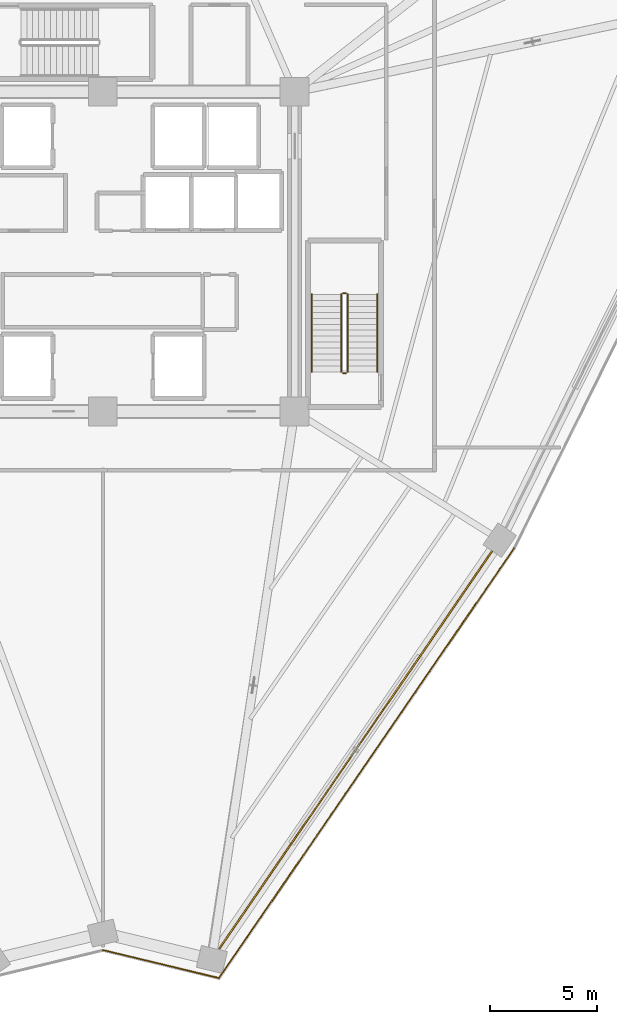
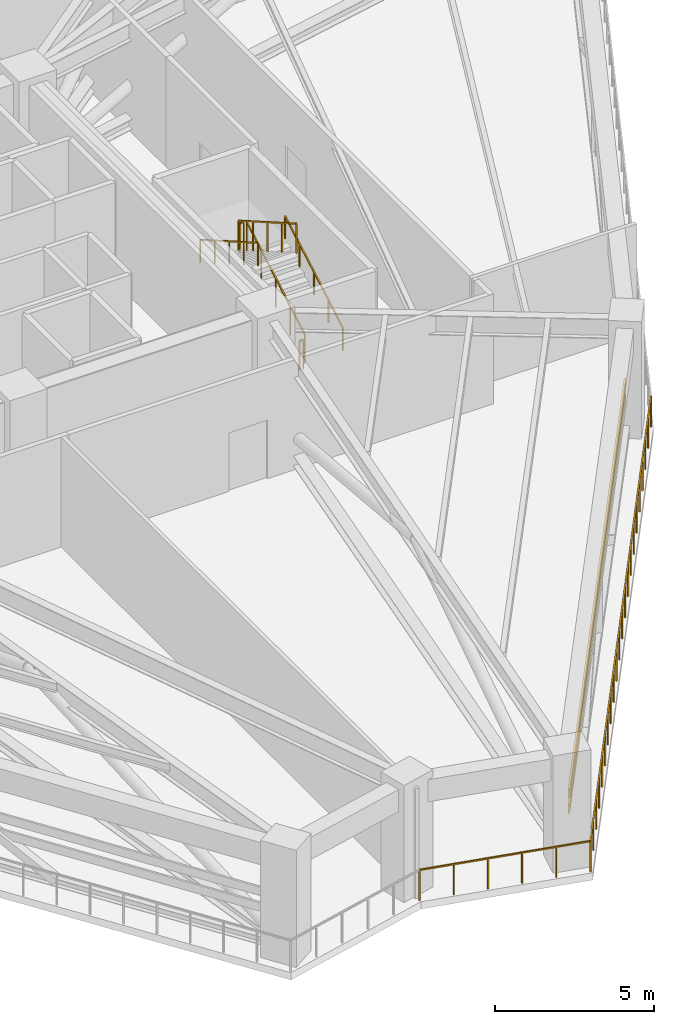
# One storey, part 19 of 22: 8 railings, 2 shading devices.
"""IFC4 building model written with IfcOpenShell, lengths in metres."""

from ifc_helpers import new_model, si_unit, direction, frame, origin, origin_2d, place, context, subcontext, project, spatial, rectangle, extrude, source, transform, mapped, material, material_profile, profile_set, type_object, element, save


model = new_model("IFC4")

# Units and contexts
model_context = context("Model", 3, precision=1e-05, world=origin(), true_north=direction((0.0, 1.0)))
body_context = subcontext(model_context, "Body", "Model", "MODEL_VIEW")
ifc_project = project(units=[si_unit("LENGTHUNIT", "METRE"), si_unit("AREAUNIT", "SQUARE_METRE"), si_unit("VOLUMEUNIT", "CUBIC_METRE"), si_unit("PLANEANGLEUNIT", "RADIAN"), si_unit("MASSUNIT", "GRAM", prefix="KILO")], contexts=[model_context])

# Site, building, storey
site_placement = place(None, origin())
site = spatial("IfcSite", under=ifc_project, at=site_placement, CompositionType="ELEMENT")
building_placement = place(site_placement, origin())
building = spatial("IfcBuilding", under=site, at=building_placement, Name="Liaohun Quay Tower", CompositionType="ELEMENT")
storey_placement = place(building_placement, frame((0.0, 0.0, 277.5)))
storey = spatial("IfcBuildingStorey", under=building, at=storey_placement, Name="L72", CompositionType="ELEMENT", Elevation=277.5)

# Railings
ifc_material_1 = material(Name="Galvanised and powder-coated steel", Category="steel")
railing_type_1 = type_object("IfcRailingType", Name="RLG-GUARD-EXT", PredefinedType="GUARDRAIL", material=ifc_material_1)
railing_1_placement = place(storey_placement, frame((79.291015625, 40.072021484375, 0.0)))
element("IfcRailing", 1, at=railing_1_placement, inside=storey, type_object=railing_type_1, Name="L72 Open Refuge Band Perimeter Guardrail 10", PredefinedType="GUARDRAIL", context=body_context, shape_type="SweptSolid", body=[
    extrude(rectangle(XDim=0.048095703125, YDim=0.048095703125, at=origin_2d()), frame((0.0, 0.0, 1.17578125), z_axis=(-0.565944022482, -0.824443669038, 0.0), x_axis=(0.824443669038, -0.565944022482, 0.0)), (0.0, 0.0, 1.0), 24.45654296875),
    extrude(rectangle(XDim=0.0419921875, YDim=0.0419921875, at=origin_2d()), origin(), (0.0, 0.0, 1.0), 1.15185546875),
    extrude(rectangle(XDim=0.0419921875, YDim=0.0419921875, at=origin_2d()), frame((-0.6591796875, -0.960205078125, 0.0)), (0.0, 0.0, 1.0), 1.15185546875),
    extrude(rectangle(XDim=0.0419921875, YDim=0.0419921875, at=origin_2d()), frame((-1.318115234375, -1.92041015625, 0.0)), (0.0, 0.0, 1.0), 1.15185546875),
    extrude(rectangle(XDim=0.0419921875, YDim=0.0419921875, at=origin_2d()), frame((-1.977294921875, -2.88037109375, 0.0)), (0.0, 0.0, 1.0), 1.15185546875),
    extrude(rectangle(XDim=0.0419921875, YDim=0.0419921875, at=origin_2d()), frame((-2.636474609375, -3.840576171875, 0.0)), (0.0, 0.0, 1.0), 1.15185546875),
    extrude(rectangle(XDim=0.0419921875, YDim=0.0419921875, at=origin_2d()), frame((-3.29541015625, -4.80078125, 0.0)), (0.0, 0.0, 1.0), 1.15185546875),
    extrude(rectangle(XDim=0.0419921875, YDim=0.0419921875, at=origin_2d()), frame((-3.95458984375, -5.760986328125, 0.0)), (0.0, 0.0, 1.0), 1.15185546875),
    extrude(rectangle(XDim=0.0419921875, YDim=0.0419921875, at=origin_2d()), frame((-4.61376953125, -6.720947265625, 0.0)), (0.0, 0.0, 1.0), 1.15185546875),
    extrude(rectangle(XDim=0.0419921875, YDim=0.0419921875, at=origin_2d()), frame((-5.272705078125, -7.68115234375, 0.0)), (0.0, 0.0, 1.0), 1.15185546875),
    extrude(rectangle(XDim=0.0419921875, YDim=0.0419921875, at=origin_2d()), frame((-5.931884765625, -8.641357421875, 0.0)), (0.0, 0.0, 1.0), 1.15185546875),
    extrude(rectangle(XDim=0.0419921875, YDim=0.0419921875, at=origin_2d()), frame((-6.591064453125, -9.6015625, 0.0)), (0.0, 0.0, 1.0), 1.15185546875),
    extrude(rectangle(XDim=0.0419921875, YDim=0.0419921875, at=origin_2d()), frame((-7.25, -10.5615234375, 0.0)), (0.0, 0.0, 1.0), 1.15185546875),
    extrude(rectangle(XDim=0.0419921875, YDim=0.0419921875, at=origin_2d()), frame((-7.9091796875, -11.521728515625, 0.0)), (0.0, 0.0, 1.0), 1.15185546875),
    extrude(rectangle(XDim=0.0419921875, YDim=0.0419921875, at=origin_2d()), frame((-8.568359375, -12.48193359375, 0.0)), (0.0, 0.0, 1.0), 1.15185546875),
    extrude(rectangle(XDim=0.0419921875, YDim=0.0419921875, at=origin_2d()), frame((-9.227294921875, -13.442138671875, 0.0)), (0.0, 0.0, 1.0), 1.15185546875),
    extrude(rectangle(XDim=0.0419921875, YDim=0.0419921875, at=origin_2d()), frame((-9.886474609375, -14.402099609375, 0.0)), (0.0, 0.0, 1.0), 1.15185546875),
    extrude(rectangle(XDim=0.0419921875, YDim=0.0419921875, at=origin_2d()), frame((-10.545654296875, -15.3623046875, 0.0)), (0.0, 0.0, 1.0), 1.15185546875),
    extrude(rectangle(XDim=0.0419921875, YDim=0.0419921875, at=origin_2d()), frame((-11.20458984375, -16.322509765625, 0.0)), (0.0, 0.0, 1.0), 1.15185546875),
    extrude(rectangle(XDim=0.0419921875, YDim=0.0419921875, at=origin_2d()), frame((-11.86376953125, -17.28271484375, 0.0)), (0.0, 0.0, 1.0), 1.15185546875),
    extrude(rectangle(XDim=0.0419921875, YDim=0.0419921875, at=origin_2d()), frame((-12.52294921875, -18.24267578125, 0.0)), (0.0, 0.0, 1.0), 1.15185546875),
    extrude(rectangle(XDim=0.0419921875, YDim=0.0419921875, at=origin_2d()), frame((-13.181884765625, -19.202880859375, 0.0)), (0.0, 0.0, 1.0), 1.15185546875),
    extrude(rectangle(XDim=0.0419921875, YDim=0.0419921875, at=origin_2d()), frame((-13.841064453125, -20.1630859375, 0.0)), (0.0, 0.0, 1.0), 1.15185546875),
])
railing_2_placement = place(storey_placement, frame((65.449951171875, 19.908935546875, 0.0)))
element("IfcRailing", 2, at=railing_2_placement, inside=storey, type_object=railing_type_1, Name="L72 Open Refuge Band Perimeter Guardrail 11", PredefinedType="GUARDRAIL", context=body_context, shape_type="SweptSolid", body=[
    extrude(rectangle(XDim=0.048095703125, YDim=0.048095703125, at=origin_2d()), frame((0.0, 0.0, 1.17578125), z_axis=(-0.972055488137, 0.234751204433, 0.0), x_axis=(-0.234751204433, -0.972055488137, 0.0)), (0.0, 0.0, 1.0), 5.606689453125),
    extrude(rectangle(XDim=0.0419921875, YDim=0.0419921875, at=origin_2d()), origin(), (0.0, 0.0, 1.0), 1.15185546875),
    extrude(rectangle(XDim=0.0419921875, YDim=0.0419921875, at=origin_2d()), frame((-1.090087890625, 0.26318359375, 0.0)), (0.0, 0.0, 1.0), 1.15185546875),
    extrude(rectangle(XDim=0.0419921875, YDim=0.0419921875, at=origin_2d()), frame((-2.179931640625, 0.5263671875, 0.0)), (0.0, 0.0, 1.0), 1.15185546875),
    extrude(rectangle(XDim=0.0419921875, YDim=0.0419921875, at=origin_2d()), frame((-3.27001953125, 0.789794921875, 0.0)), (0.0, 0.0, 1.0), 1.15185546875),
    extrude(rectangle(XDim=0.0419921875, YDim=0.0419921875, at=origin_2d()), frame((-4.35986328125, 1.052978515625, 0.0)), (0.0, 0.0, 1.0), 1.15185546875),
    extrude(rectangle(XDim=0.0419921875, YDim=0.0419921875, at=origin_2d()), frame((-5.449951171875, 1.316162109375, 0.0)), (0.0, 0.0, 1.0), 1.15185546875),
])
ifc_material_2 = material(Name="Painted tubular steel", Category="steel")
railing_type_2 = type_object("IfcRailingType", Name="RLG-GUARD-STR", PredefinedType="GUARDRAIL", material=ifc_material_2)
railing_3_placement = place(storey_placement, frame((71.489990234375, 48.35009765625, 0.16064453125)))
element("IfcRailing", 3, at=railing_3_placement, inside=storey, type_object=railing_type_2, Name="L72 ST-2 stair guard 1", PredefinedType="GUARDRAIL", context=body_context, shape_type="SweptSolid", body=[
    extrude(rectangle(XDim=0.048095703125, YDim=0.048095703125, at=origin_2d()), frame((0.0, 0.0, 1.1259765625), z_axis=(0.0, 0.8672749571, 0.497829437445), x_axis=(-1.0, 0.0, 0.0)), (0.0, 0.0, 1.0), 4.197021484375),
    extrude(rectangle(XDim=0.0419921875, YDim=0.0419921875, at=origin_2d()), origin(), (0.0, 0.0, 1.0), 1.101806640625),
    extrude(rectangle(XDim=0.0419921875, YDim=0.0419921875, at=origin_2d()), frame((0.0, 0.909912109375, 0.5224609375)), (0.0, 0.0, 1.0), 1.101806640625),
    extrude(rectangle(XDim=0.0419921875, YDim=0.0419921875, at=origin_2d()), frame((0.0, 1.81982421875, 1.044677734375)), (0.0, 0.0, 1.0), 1.101806640625),
    extrude(rectangle(XDim=0.0419921875, YDim=0.0419921875, at=origin_2d()), frame((0.0, 2.72998046875, 1.56689453125)), (0.0, 0.0, 1.0), 1.101806640625),
    extrude(rectangle(XDim=0.0419921875, YDim=0.0419921875, at=origin_2d()), frame((0.0, 3.639892578125, 2.08935546875)), (0.0, 0.0, 1.0), 1.101806640625),
])
railing_4_placement = place(storey_placement, frame((71.409912109375, 52.0400390625, 2.25)))
element("IfcRailing", 4, at=railing_4_placement, inside=storey, type_object=railing_type_2, Name="L72 ST-2 stair guard 2", PredefinedType="GUARDRAIL", context=body_context, shape_type="SweptSolid", body=[
    extrude(rectangle(XDim=0.048095703125, YDim=0.048095703125, at=origin_2d()), frame((0.0, 0.0, 1.1259765625), z_axis=(-1.0, 0.0, 0.0), x_axis=(0.0, -1.0, 0.0)), (0.0, 0.0, 1.0), 0.139892578125),
    extrude(rectangle(XDim=0.0419921875, YDim=0.0419921875, at=origin_2d()), origin(), (0.0, 0.0, 1.0), 1.101806640625),
    extrude(rectangle(XDim=0.0419921875, YDim=0.0419921875, at=origin_2d()), frame((-0.139892578125, 0.0, 0.0)), (0.0, 0.0, 1.0), 1.101806640625),
])
railing_5_placement = place(storey_placement, frame((71.18994140625, 51.989990234375, 2.41064453125)))
element("IfcRailing", 5, at=railing_5_placement, inside=storey, type_object=railing_type_2, Name="L72 ST-2 stair guard 3", PredefinedType="GUARDRAIL", context=body_context, shape_type="SweptSolid", body=[
    extrude(rectangle(XDim=0.048095703125, YDim=0.048095703125, at=origin_2d()), frame((0.0, 0.0, 1.1259765625), z_axis=(0.0, -0.8672749571, 0.497829437445), x_axis=(1.0, 0.0, 0.0)), (0.0, 0.0, 1.0), 4.197021484375),
    extrude(rectangle(XDim=0.0419921875, YDim=0.0419921875, at=origin_2d()), origin(), (0.0, 0.0, 1.0), 1.101806640625),
    extrude(rectangle(XDim=0.0419921875, YDim=0.0419921875, at=origin_2d()), frame((0.0, -0.909912109375, 0.5224609375)), (0.0, 0.0, 1.0), 1.101806640625),
    extrude(rectangle(XDim=0.0419921875, YDim=0.0419921875, at=origin_2d()), frame((0.0, -1.81982421875, 1.044677734375)), (0.0, 0.0, 1.0), 1.101806640625),
    extrude(rectangle(XDim=0.0419921875, YDim=0.0419921875, at=origin_2d()), frame((0.0, -2.72998046875, 1.56689453125)), (0.0, 0.0, 1.0), 1.101806640625),
    extrude(rectangle(XDim=0.0419921875, YDim=0.0419921875, at=origin_2d()), frame((0.0, -3.639892578125, 2.08935546875)), (0.0, 0.0, 1.0), 1.101806640625),
])
railing_6_placement = place(storey_placement, frame((71.409912109375, 48.300048828125, 0.0)))
element("IfcRailing", 6, at=railing_6_placement, inside=storey, type_object=railing_type_2, Name="L72 ST-2 stair guard 4", PredefinedType="GUARDRAIL", context=body_context, shape_type="SweptSolid", body=[
    extrude(rectangle(XDim=0.048095703125, YDim=0.048095703125, at=origin_2d()), frame((0.0, 0.0, 1.1259765625), z_axis=(-1.0, 0.0, 0.0), x_axis=(0.0, -1.0, 0.0)), (0.0, 0.0, 1.0), 0.139892578125),
    extrude(rectangle(XDim=0.0419921875, YDim=0.0419921875, at=origin_2d()), origin(), (0.0, 0.0, 1.0), 1.101806640625),
    extrude(rectangle(XDim=0.0419921875, YDim=0.0419921875, at=origin_2d()), frame((-0.139892578125, 0.0, 0.0)), (0.0, 0.0, 1.0), 1.101806640625),
])
ifc_material_3 = material(Name="Brushed stainless steel", Category="steel")
railing_type_3 = type_object("IfcRailingType", Name="RLG-HND-STR", PredefinedType="HANDRAIL", material=ifc_material_3)
railing_7_placement = place(storey_placement, frame((72.8798828125, 48.35009765625, 0.16064453125)))
element("IfcRailing", 7, at=railing_7_placement, inside=storey, type_object=railing_type_3, Name="L72 ST-2 stair handrail 1", PredefinedType="HANDRAIL", context=body_context, shape_type="SweptSolid", body=[
    extrude(rectangle(XDim=0.048095703125, YDim=0.048095703125, at=origin_2d()), frame((0.0, 0.0, 0.8759765625), z_axis=(0.0, 0.8672749571, 0.497829437445), x_axis=(-1.0, 0.0, 0.0)), (0.0, 0.0, 1.0), 4.197021484375),
    extrude(rectangle(XDim=0.0419921875, YDim=0.0419921875, at=origin_2d()), origin(), (0.0, 0.0, 1.0), 0.851806640625),
    extrude(rectangle(XDim=0.0419921875, YDim=0.0419921875, at=origin_2d()), frame((0.0, 0.909912109375, 0.5224609375)), (0.0, 0.0, 1.0), 0.851806640625),
    extrude(rectangle(XDim=0.0419921875, YDim=0.0419921875, at=origin_2d()), frame((0.0, 1.81982421875, 1.044677734375)), (0.0, 0.0, 1.0), 0.851806640625),
    extrude(rectangle(XDim=0.0419921875, YDim=0.0419921875, at=origin_2d()), frame((0.0, 2.72998046875, 1.56689453125)), (0.0, 0.0, 1.0), 0.851806640625),
    extrude(rectangle(XDim=0.0419921875, YDim=0.0419921875, at=origin_2d()), frame((0.0, 3.639892578125, 2.08935546875)), (0.0, 0.0, 1.0), 0.851806640625),
])
railing_8_placement = place(storey_placement, frame((69.800048828125, 51.989990234375, 2.41064453125)))
element("IfcRailing", 8, at=railing_8_placement, inside=storey, type_object=railing_type_3, Name="L72 ST-2 stair handrail 2", PredefinedType="HANDRAIL", context=body_context, shape_type="SweptSolid", body=[
    extrude(rectangle(XDim=0.048095703125, YDim=0.048095703125, at=origin_2d()), frame((0.0, 0.0, 0.8759765625), z_axis=(0.0, -0.8672749571, 0.497829437445), x_axis=(1.0, 0.0, 0.0)), (0.0, 0.0, 1.0), 4.197021484375),
    extrude(rectangle(XDim=0.0419921875, YDim=0.0419921875, at=origin_2d()), origin(), (0.0, 0.0, 1.0), 0.851806640625),
    extrude(rectangle(XDim=0.0419921875, YDim=0.0419921875, at=origin_2d()), frame((0.0, -0.909912109375, 0.5224609375)), (0.0, 0.0, 1.0), 0.851806640625),
    extrude(rectangle(XDim=0.0419921875, YDim=0.0419921875, at=origin_2d()), frame((0.0, -1.81982421875, 1.044677734375)), (0.0, 0.0, 1.0), 0.851806640625),
    extrude(rectangle(XDim=0.0419921875, YDim=0.0419921875, at=origin_2d()), frame((0.0, -2.72998046875, 1.56689453125)), (0.0, 0.0, 1.0), 0.851806640625),
    extrude(rectangle(XDim=0.0419921875, YDim=0.0419921875, at=origin_2d()), frame((0.0, -3.639892578125, 2.08935546875)), (0.0, 0.0, 1.0), 0.851806640625),
])

# Shading devices
ifc_material_4 = material(Name="Fluorocarbon-coated aluminium", Category="aluminium")
ifc_material_profile = material_profile(ifc_material_4, rectangle(XDim=0.06494140625, YDim=0.320068359375, at=origin_2d()), Name="ALU-LVR-320x65")
ifc_profile_set = profile_set([ifc_material_profile], Name="Fluorocarbon-coated aluminium")
shading_device_type = type_object("IfcShadingDeviceType", Name="SHD-LVR-REF", PredefinedType="USERDEFINED", material=ifc_profile_set)
shared_shape = source(origin(), body_context, "Body", "SweptSolid", [
    extrude(rectangle(XDim=0.06494140625, YDim=0.320068359375, at=origin_2d()), origin(), (0.0, 0.0, 1.0), 22.640625),
])
for number, where, z_axis, x_axis, name in (
    (9, (78.277099609375, 39.955078125, 1.550048828125), (-0.565931900147, -0.824451990352, 0.0), (0.824451990352, -0.565931900147, 0.0), "L72 Refuge Plant Acoustic Louvre Blade LV-1-07"),
    (10, (78.277099609375, 39.955078125, 2.14990234375), (-0.565931900147, -0.824451990352, 0.0), (0.824451990352, -0.565931900147, 0.0), "L72 Refuge Plant Acoustic Louvre Blade LV-1-08"),
):
    element("IfcShadingDevice", number, at=place(storey_placement, frame(where, z_axis=z_axis, x_axis=x_axis)), inside=storey, type_object=shading_device_type, Name=name, ObjectType="LOUVRE", PredefinedType="USERDEFINED", context=body_context, shape_type="MappedRepresentation", body=[
        mapped(shared_shape, transform((0.0, 0.0, 0.0), x_axis=(1.0, 0.0, 0.0), y_axis=(0.0, 1.0, 0.0), z_axis=(0.0, 0.0, 1.0), scale=1.0)),
    ])

save(model, "model.ifc")
